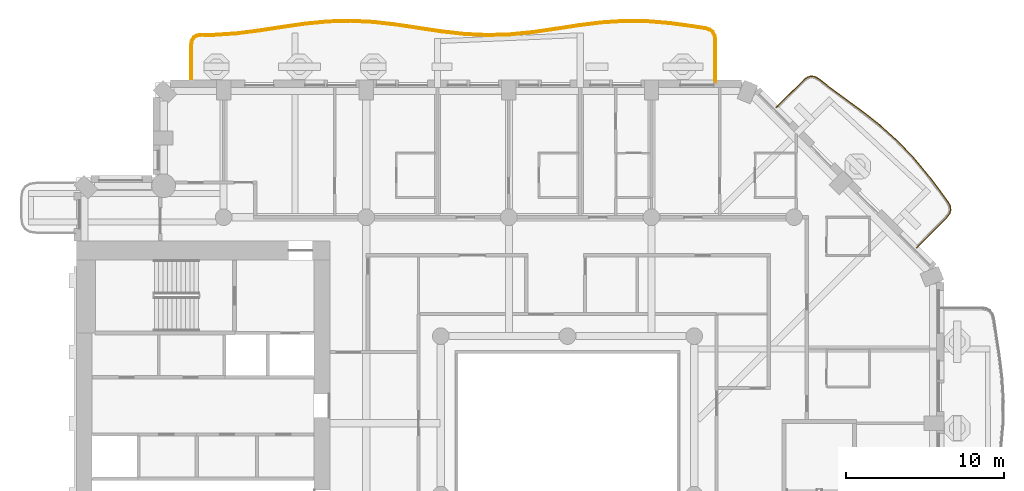
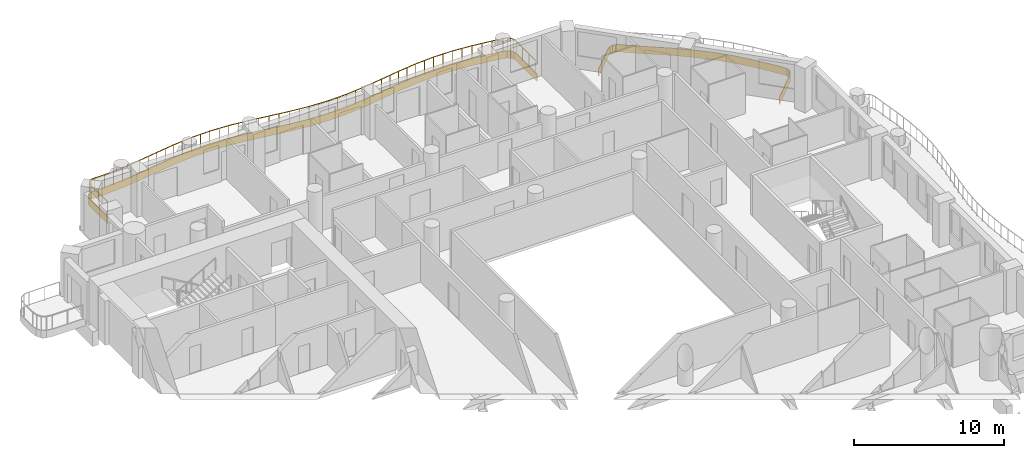
# One storey, part 18 of 20: 2 coverings, 1 railing.
"""IFC4 building model written with IfcOpenShell, lengths in metres."""

import ifcopenshell
import ifcopenshell.guid

model = None  # the IFC model being written
_history = None  # IfcOwnerHistory: only IFC2X3 demands one
_inside = {}  # id of a spatial element -> (the spatial element, [elements in it])
_under = {}  # id of a project, library or spatial element -> (it, [spatial elements below it])
_declared = {}  # id of a project -> (the project, [libraries it declares])
_typed = {}  # id of a type object -> (the type object, [elements of that type])
_made_of = {}  # id of a material, layer set ... -> (it, [elements and type objects made of it])


def new_model(schema):
    """Start an empty IFC model of exactly this schema.

    Asked for "IFC4X3", IfcOpenShell would pick the latest addendum, in which some entities
    have other attributes; the version numbers below select the first issue.
    IFC2X3 requires an IfcOwnerHistory on every rooted entity: one is made here for all.
    """
    global model, _history
    if schema == "IFC4X3":
        model = ifcopenshell.file(schema_version=(4, 3, 0, 0))
    else:
        model = ifcopenshell.file(schema=schema)
    _inside.clear()
    _under.clear()
    _declared.clear()
    _typed.clear()
    _made_of.clear()
    _history = None
    if model.schema == "IFC2X3":
        org = make("IfcOrganization", Name="unknown")
        user = make(
            "IfcPersonAndOrganization",
            ThePerson=make("IfcPerson", FamilyName="unknown"),
            TheOrganization=org,
        )
        app = make(
            "IfcApplication",
            ApplicationDeveloper=org,
            Version="unknown",
            ApplicationFullName="unknown",
            ApplicationIdentifier="unknown",
        )
        _history = make(
            "IfcOwnerHistory",
            OwningUser=user,
            OwningApplication=app,
            ChangeAction="ADDED",
            CreationDate=0,
        )
    return model


def make(cls, **values):
    """One entity of the class cls with the attributes given. An attribute that is None is left unset."""
    return model.create_entity(
        cls, **{name: value for name, value in values.items() if value is not None}
    )


def rooted(cls, **values):
    """An entity with a GlobalId (a new one), such as an element, a storey or a relation."""
    return make(cls, GlobalId=ifcopenshell.guid.new(), OwnerHistory=_history, **values)


def si_unit(unit_type, name, prefix=None):
    """IfcSIUnit, for example si_unit("LENGTHUNIT", "METRE", prefix="MILLI")."""
    return make("IfcSIUnit", UnitType=unit_type, Prefix=prefix, Name=name)


def assignment(units):
    """IfcUnitAssignment: the units of a project."""
    return None if units is None else make("IfcUnitAssignment", Units=units)


def point(xyz):
    """IfcCartesianPoint."""
    return None if xyz is None else make("IfcCartesianPoint", Coordinates=xyz)


def direction(xyz):
    """IfcDirection."""
    return None if xyz is None else make("IfcDirection", DirectionRatios=xyz)


def frame(location, z_axis=None, x_axis=None):
    """IfcAxis2Placement3D, a coordinate frame: its origin and axes. An axis left out is left unset."""
    return make(
        "IfcAxis2Placement3D",
        Location=point(location),
        Axis=direction(z_axis),
        RefDirection=direction(x_axis),
    )


def frame_2d(location, x_axis=None):
    """IfcAxis2Placement2D, a coordinate frame in the plane: its origin and x axis."""
    return make(
        "IfcAxis2Placement2D", Location=point(location), RefDirection=direction(x_axis)
    )


def origin():
    """The frame at (0, 0, 0) with its axes left unset."""
    return frame((0.0, 0.0, 0.0))


def origin_2d():
    """The frame at (0, 0) in the plane with its x axis left unset."""
    return frame_2d((0.0, 0.0))


def place(relative_to, where):
    """IfcLocalPlacement: puts the frame where relative to a parent placement (None: the world)."""
    return make(
        "IfcLocalPlacement", PlacementRelTo=relative_to, RelativePlacement=where
    )


def context(
    kind, dimensions, precision=None, world=None, true_north=None, identifier=None
):
    """IfcGeometricRepresentationContext, for example the 3D "Model" context."""
    return make(
        "IfcGeometricRepresentationContext",
        ContextIdentifier=identifier,
        ContextType=kind,
        CoordinateSpaceDimension=dimensions,
        Precision=precision,
        WorldCoordinateSystem=world,
        TrueNorth=true_north,
    )


def subcontext(parent, identifier, kind, view, scale=None):
    """IfcGeometricRepresentationSubContext, for example "Body" below "Model"."""
    return make(
        "IfcGeometricRepresentationSubContext",
        ContextIdentifier=identifier,
        ContextType=kind,
        ParentContext=parent,
        TargetScale=scale,
        TargetView=view,
    )


def project(units=None, contexts=None):
    """IfcProject with its units and contexts."""
    return rooted(
        "IfcProject",
        Name="project",
        RepresentationContexts=contexts,
        UnitsInContext=assignment(units),
    )


def spatial(cls, under=None, at=None, **own):
    """A site, building, storey or space (cls), placed at a placement, below another one or the project."""
    s = rooted(cls, ObjectPlacement=at, **own)
    if under is not None:
        _under.setdefault(under.id(), (under, []))[1].append(s)
    return s


def polyline(points):
    """IfcPolyline through the points."""
    return make("IfcPolyline", Points=[point(p) for p in points])


def profile(cls, at=None, kind="AREA", **sizes):
    """A parametric profile (cls). Its sizes go by their IFC names, for example OverallWidth=200.0."""
    return make(cls, ProfileType=kind, Position=at, **sizes)


def rectangle(**sizes):
    """IfcRectangleProfileDef."""
    return profile("IfcRectangleProfileDef", **sizes)


def outline(outer, holes=None, kind="AREA"):
    """IfcArbitraryClosedProfileDef: a profile drawn as a closed curve; with holes, ...WithVoids."""
    if holes is None:
        return make("IfcArbitraryClosedProfileDef", ProfileType=kind, OuterCurve=outer)
    return make(
        "IfcArbitraryProfileDefWithVoids",
        ProfileType=kind,
        OuterCurve=outer,
        InnerCurves=holes,
    )


def extrude(swept, where, along, depth):
    """IfcExtrudedAreaSolid: the profile swept, set in the frame where, extruded along a direction by depth."""
    return make(
        "IfcExtrudedAreaSolid",
        SweptArea=swept,
        Position=where,
        ExtrudedDirection=direction(along),
        Depth=depth,
    )


def shape(context_of_items, identifier, shape_type, items):
    """IfcShapeRepresentation: the items that make up one representation, for example the "Body"."""
    return make(
        "IfcShapeRepresentation",
        ContextOfItems=context_of_items,
        RepresentationIdentifier=identifier,
        RepresentationType=shape_type,
        Items=items,
    )


def material(Name=None, Category=None):
    """IfcMaterial."""
    return make("IfcMaterial", Name=Name, Category=Category)


def layer(
    of_material, thickness, ventilated=None, Name=None, Category=None, Priority=None
):
    """IfcMaterialLayer: one layer of a wall or slab, of a material (None: an air gap)."""
    return make(
        "IfcMaterialLayer",
        Material=of_material,
        LayerThickness=thickness,
        IsVentilated=ventilated,
        Name=Name,
        Category=Category,
        Priority=Priority,
    )


def layer_set(layers, Name=None):
    """IfcMaterialLayerSet."""
    return make("IfcMaterialLayerSet", MaterialLayers=layers, LayerSetName=Name)


def made_of(thing, what):
    """Note that an element or type object is made of a material, layer set ...; save() writes the relation."""
    if what is not None:
        _made_of.setdefault(what.id(), (what, []))[1].append(thing)
    return thing


def type_object(cls, material=None, **own):
    """A type object (cls), such as IfcWallType, which elements share."""
    return made_of(rooted(cls, **own), material)


def element(
    cls,
    number,
    at=None,
    inside=None,
    cuts=None,
    type_object=None,
    material=None,
    context=None,
    identifier="Body",
    shape_type=None,
    held_by="IfcProductDefinitionShape",
    body=None,
    shapes=None,
    **own,
):
    """One element of the class cls, such as IfcWall. Its Tag is "e" and its number.

    at: its placement. inside: the storey or other place that contains it. cuts: it is an
    opening in that element (IfcRelVoidsElement). A single representation is given by context,
    identifier, shape_type and body (its items); several are given by shapes. held_by: the class
    of the entity that holds the representations. save() writes the other relations.
    """
    e = rooted(cls, Tag="e%d" % number, ObjectPlacement=at, **own)
    if body is not None:
        shapes = [shape(context, identifier, shape_type, body)]
    if shapes is not None:
        e.Representation = make(held_by, Representations=shapes)
    if inside is not None:
        _inside.setdefault(inside.id(), (inside, []))[1].append(e)
    if cuts is not None:
        rooted(
            "IfcRelVoidsElement", RelatingBuildingElement=cuts, RelatedOpeningElement=e
        )
    if type_object is not None:
        _typed.setdefault(type_object.id(), (type_object, []))[1].append(e)
    return made_of(e, material)


def aggregate(whole, parts):
    """IfcRelAggregates: a whole, such as a stair, and the parts it consists of."""
    return rooted("IfcRelAggregates", RelatingObject=whole, RelatedObjects=parts)


def save(model, path):
    """Write the relations noted so far, then the file.

    IfcRelAggregates (storeys below a building ...), IfcRelContainedInSpatialStructure (elements
    in a storey), IfcRelDefinesByType, IfcRelAssociatesMaterial and IfcRelDeclares: one each for
    every whole, place, type object, material and project.
    """
    for whole, parts in _under.values():
        aggregate(whole, parts)
    for where, things in _inside.values():
        rooted(
            "IfcRelContainedInSpatialStructure",
            RelatedElements=things,
            RelatingStructure=where,
        )
    for kind, things in _typed.values():
        rooted("IfcRelDefinesByType", RelatedObjects=things, RelatingType=kind)
    for what, things in _made_of.values():
        rooted("IfcRelAssociatesMaterial", RelatedObjects=things, RelatingMaterial=what)
    for by, libraries in _declared.values():
        rooted("IfcRelDeclares", RelatingContext=by, RelatedDefinitions=libraries)
    model.write(path)


model = new_model("IFC4")

# Units and contexts
model_context = context("Model", 3, precision=1e-05, world=origin(), true_north=direction((0.0, 1.0)))
body_context = subcontext(model_context, "Body", "Model", "MODEL_VIEW")
ifc_project = project(units=[si_unit("LENGTHUNIT", "METRE"), si_unit("AREAUNIT", "SQUARE_METRE"), si_unit("VOLUMEUNIT", "CUBIC_METRE"), si_unit("PLANEANGLEUNIT", "RADIAN"), si_unit("MASSUNIT", "GRAM", prefix="KILO")], contexts=[model_context])

# Site, building, storey
site_placement = place(None, origin())
site = spatial("IfcSite", under=ifc_project, at=site_placement, CompositionType="ELEMENT")
building_placement = place(site_placement, origin())
building = spatial("IfcBuilding", under=site, at=building_placement, Name="Cypress Arch Tower", CompositionType="ELEMENT")
storey_placement = place(building_placement, frame((0.0, 0.0, 134.699951171875)))
storey = spatial("IfcBuildingStorey", under=building, at=storey_placement, Name="L29", CompositionType="ELEMENT", Elevation=134.699951171875)

# Coverings
ifc_material_1 = material(Name="White powder-coated aluminium fascia", Category="aluminium")
ifc_layer = layer(ifc_material_1, 0.050048828125)
ifc_layer_set = layer_set([ifc_layer], Name="Balcony fascia BF50")
covering_type = type_object("IfcCoveringType", Name="Balcony fascia BF50", PredefinedType="CLADDING", material=ifc_layer_set)
covering_1_placement = place(storey_placement, frame((0.0, 0.0, -0.599853515625)))
element("IfcCovering", 1, at=covering_1_placement, inside=storey, type_object=covering_type, Name="Balcony fascia L29-A07", PredefinedType="CLADDING", context=body_context, shape_type="SweptSolid", body=[
    extrude(outline(polyline([(15.894775390625, 26.18359375), (16.130126953125, 26.361328125), (16.381103515625, 26.4326171875), (16.638427734375, 26.39111328125), (16.89306640625, 26.242431640625), (17.49755859375, 25.765625), (18.62548828125, 24.934814453125), (19.753173828125, 24.101806640625), (20.84716796875, 23.232666015625), (21.880859375, 22.302001953125), (22.841796875, 21.298583984375), (23.734375, 20.2275390625), (24.578857421875, 19.110107421875), (25.0361328125, 18.484375), (25.17724609375, 18.222412109375), (25.21240234375, 17.9599609375), (25.13720703125, 17.7060546875), (24.957763671875, 17.468994140625), (23.045166015625, 15.556396484375), (23.009765625, 15.591796875), (24.919921875, 17.501953125), (25.091796875, 17.72900390625), (25.16162109375, 17.9638671875), (25.12890625, 18.206787109375), (24.993896484375, 18.45751953125), (24.538818359375, 19.080322265625), (23.6953125, 20.1962890625), (22.804443359375, 21.26513671875), (21.845947265625, 22.26611328125), (20.814697265625, 23.194580078125), (19.722900390625, 24.06201171875), (18.595703125, 24.89453125), (17.46728515625, 25.725830078125), (16.86474609375, 26.200927734375), (16.621337890625, 26.34326171875), (16.384033203125, 26.381591796875), (16.15283203125, 26.315673828125), (15.927734375, 26.145751953125), (14.191650390625, 24.40966796875), (14.15625, 24.445068359375), (15.894775390625, 26.18359375)])), origin(), (0.0, 0.0, 1.0), 0.599853515625),
])
covering_2_placement = place(storey_placement, frame((0.0, 0.0, -0.599853515625)))
element("IfcCovering", 2, at=covering_2_placement, inside=storey, type_object=covering_type, Name="Balcony fascia L29-A08", PredefinedType="CLADDING", context=body_context, shape_type="SweptSolid", body=[
    extrude(outline(polyline([(-22.800048828125, 28.37548828125), (-22.757568359375, 28.672119140625), (-22.62451171875, 28.893310546875), (-22.402587890625, 29.02490234375), (-22.105712890625, 29.065185546875), (-21.3125, 29.0595703125), (-19.876708984375, 29.157958984375), (-18.439697265625, 29.3408203125), (-17.000732421875, 29.56298828125), (-15.560302734375, 29.77001953125), (-14.118408203125, 29.91015625), (-12.675537109375, 29.94873046875), (-11.23291015625, 29.876220703125), (-9.791259765625, 29.71044921875), (-8.351318359375, 29.492919921875), (-6.9130859375, 29.27734375), (-5.4765625, 29.11669921875), (-4.041015625, 29.050537109375), (-2.60546875, 29.09521484375), (-1.169189453125, 29.23974609375), (0.268798828125, 29.44873046875), (1.708251953125, 29.67041015625), (3.149658203125, 29.849853515625), (4.592041015625, 29.943115234375), (6.034912109375, 29.92626953125), (7.477294921875, 29.80419921875), (8.918212890625, 29.606689453125), (9.71337890625, 29.483154296875), (10.0087890625, 29.39453125), (10.22705078125, 29.22802734375), (10.35791015625, 28.987060546875), (10.39990234375, 28.681640625), (10.39990234375, 26.0009765625), (10.35009765625, 26.0009765625), (10.35009765625, 28.67822265625), (10.3095703125, 28.97119140625), (10.18798828125, 29.19482421875), (9.98583984375, 29.34912109375), (9.702392578125, 29.43408203125), (8.910888671875, 29.55712890625), (7.4716796875, 29.75439453125), (6.03271484375, 29.87646484375), (4.593505859375, 29.89306640625), (3.154296875, 29.800048828125), (1.71533203125, 29.620849609375), (0.276123046875, 29.399169921875), (-1.1630859375, 29.190185546875), (-2.602294921875, 29.04541015625), (-4.041259765625, 29.00048828125), (-5.48046875, 29.066650390625), (-6.919677734375, 29.227783203125), (-8.358642578125, 29.443603515625), (-9.7978515625, 29.660888671875), (-11.237060546875, 29.826171875), (-12.676025390625, 29.898681640625), (-14.115234375, 29.860107421875), (-15.554443359375, 29.72021484375), (-16.993408203125, 29.513671875), (-18.4326171875, 29.291259765625), (-19.871826171875, 29.108154296875), (-21.310791015625, 29.009521484375), (-22.102294921875, 29.01513671875), (-22.3857421875, 28.9765625), (-22.588134765625, 28.856689453125), (-22.70947265625, 28.655029296875), (-22.75, 28.3720703125), (-22.75, 26.0009765625), (-22.800048828125, 26.0009765625), (-22.800048828125, 28.37548828125)])), origin(), (0.0, 0.0, 1.0), 0.599853515625),
])

# Railing
ifc_material_2 = material(Name="Powder-coated steel posts and rods, 100 mm clear between rods", Category="steel")
railing_type = type_object("IfcRailingType", Name="Balcony guard GR1100", PredefinedType="GUARDRAIL", material=ifc_material_2)
railing_placement = place(storey_placement, frame((-22.699951171875, 26.14990234375, 0.0)))
element("IfcRailing", 3, at=railing_placement, inside=storey, type_object=railing_type, Name="Balcony guard L29-A08", PredefinedType="GUARDRAIL", context=body_context, shape_type="SweptSolid", body=[
    extrude(rectangle(XDim=0.050048828125, YDim=0.050048828125, at=origin_2d()), frame((0.0, 0.0, 1.0751953125), z_axis=(0.0, 1.0, 0.0), x_axis=(-1.0, 0.0, 0.0)), (0.0, 0.0, 1.0), 2.218505859375),
    extrude(rectangle(XDim=0.050048828125, YDim=0.050048828125, at=origin_2d()), frame((0.0, 2.218505859375, 1.0751953125), z_axis=(0.141672416732, 0.98991359539, 0.0), x_axis=(-0.98991359539, 0.141672416732, 0.0)), (0.0, 0.0, 1.0), 0.272216796875),
    extrude(rectangle(XDim=0.050048828125, YDim=0.050048828125, at=origin_2d()), frame((0.03857421875, 2.488037109375, 1.0751953125), z_axis=(0.515677548215, 0.856782741578, 0.0), x_axis=(-0.856782741578, 0.515677548215, 0.0)), (0.0, 0.0, 1.0), 0.212646484375),
    extrude(rectangle(XDim=0.050048828125, YDim=0.050048828125, at=origin_2d()), frame((0.148193359375, 2.670166015625, 1.0751953125), z_axis=(0.8602169019, 0.509928310339, 0.0), x_axis=(-0.509928310339, 0.8602169019, 0.0)), (0.0, 0.0, 1.0), 0.212646484375),
    extrude(rectangle(XDim=0.050048828125, YDim=0.050048828125, at=origin_2d()), frame((0.3310546875, 2.778564453125, 1.0751953125), z_axis=(0.990911839924, 0.134512919447, 0.0), x_axis=(-0.134512919447, 0.990911839924, 0.0)), (0.0, 0.0, 1.0), 0.272216796875),
    extrude(rectangle(XDim=0.050048828125, YDim=0.050048828125, at=origin_2d()), frame((0.600830078125, 2.815185546875, 1.0751953125), z_axis=(0.999974726776, -0.007109557563, 0.0), x_axis=(0.007109557563, 0.999974726776, 0.0)), (0.0, 0.0, 1.0), 0.789794921875),
    extrude(rectangle(XDim=0.050048828125, YDim=0.050048828125, at=origin_2d()), frame((1.390625, 2.8095703125, 1.0751953125), z_axis=(0.997658621, 0.068390612983, 0.0), x_axis=(-0.068390612983, 0.997658621, 0.0)), (0.0, 0.0, 1.0), 1.44580078125),
    extrude(rectangle(XDim=0.050048828125, YDim=0.050048828125, at=origin_2d()), frame((2.8330078125, 2.908447265625, 1.0751953125), z_axis=(0.992006709468, 0.1261851353, 0.0), x_axis=(-0.1261851353, 0.992006709468, 0.0)), (0.0, 0.0, 1.0), 1.453125),
    extrude(rectangle(XDim=0.050048828125, YDim=0.050048828125, at=origin_2d()), frame((4.2744140625, 3.091796875, 1.0751953125), z_axis=(0.988272662411, 0.152699524331, 0.0), x_axis=(-0.152699524331, 0.988272662411, 0.0)), (0.0, 0.0, 1.0), 1.45654296875),
    extrude(rectangle(XDim=0.050048828125, YDim=0.050048828125, at=origin_2d()), frame((5.7138671875, 3.314208984375, 1.0751953125), z_axis=(0.989838254596, 0.142197854201, 0.0), x_axis=(-0.142197854201, 0.989838254596, 0.0)), (0.0, 0.0, 1.0), 1.452392578125),
    extrude(rectangle(XDim=0.050048828125, YDim=0.050048828125, at=origin_2d()), frame((7.151611328125, 3.520751953125, 1.0751953125), z_axis=(0.99530648281, 0.096772957363, 0.0), x_axis=(-0.096772957363, 0.99530648281, 0.0)), (0.0, 0.0, 1.0), 1.443115234375),
    extrude(rectangle(XDim=0.050048828125, YDim=0.050048828125, at=origin_2d()), frame((8.587890625, 3.660400390625, 1.0751953125), z_axis=(0.999643606175, 0.0266957044, 0.0), x_axis=(-0.0266957044, 0.999643606175, 0.0)), (0.0, 0.0, 1.0), 1.435791015625),
    extrude(rectangle(XDim=0.050048828125, YDim=0.050048828125, at=origin_2d()), frame((10.023193359375, 3.69873046875, 1.0751953125), z_axis=(0.998735767688, -0.050267945458, 0.0), x_axis=(0.050267945458, 0.998735767688, 0.0)), (0.0, 0.0, 1.0), 1.4375),
    extrude(rectangle(XDim=0.050048828125, YDim=0.050048828125, at=origin_2d()), frame((11.458984375, 3.62646484375, 1.0751953125), z_axis=(0.993465014905, -0.114137041141, 0.0), x_axis=(0.114137041141, 0.993465014905, 0.0)), (0.0, 0.0, 1.0), 1.446044921875),
    extrude(rectangle(XDim=0.050048828125, YDim=0.050048828125, at=origin_2d()), frame((12.8955078125, 3.46142578125, 1.0751953125), z_axis=(0.988779448417, -0.149382737921, 0.0), x_axis=(0.149382737921, 0.988779448417, 0.0)), (0.0, 0.0, 1.0), 1.45458984375),
    extrude(rectangle(XDim=0.050048828125, YDim=0.050048828125, at=origin_2d()), frame((14.333740234375, 3.244140625, 1.0751953125), z_axis=(0.988932663572, -0.148365046154, 0.0), x_axis=(0.148365046154, 0.988932663572, 0.0)), (0.0, 0.0, 1.0), 1.456298828125),
    extrude(rectangle(XDim=0.050048828125, YDim=0.050048828125, at=origin_2d()), frame((15.77392578125, 3.028076171875, 1.0751953125), z_axis=(0.993811689015, -0.111078021126, 0.0), x_axis=(0.111078021126, 0.993811689015, 0.0)), (0.0, 0.0, 1.0), 1.45068359375),
    extrude(rectangle(XDim=0.050048828125, YDim=0.050048828125, at=origin_2d()), frame((17.215576171875, 2.866943359375, 1.0751953125), z_axis=(0.998942232223, -0.045982786794, 0.0), x_axis=(0.045982786794, 0.998942232223, 0.0)), (0.0, 0.0, 1.0), 1.444091796875),
    extrude(rectangle(XDim=0.050048828125, YDim=0.050048828125, at=origin_2d()), frame((18.658203125, 2.800537109375, 1.0751953125), z_axis=(0.99951569929, 0.031118593683, 0.0), x_axis=(-0.031118593683, 0.99951569929, 0.0)), (0.0, 0.0, 1.0), 1.443603515625),
    extrude(rectangle(XDim=0.050048828125, YDim=0.050048828125, at=origin_2d()), frame((20.10107421875, 2.845458984375, 1.0751953125), z_axis=(0.994963528178, 0.1002376057, 0.0), x_axis=(-0.1002376057, 0.994963528178, 0.0)), (0.0, 0.0, 1.0), 1.44921875),
    extrude(rectangle(XDim=0.050048828125, YDim=0.050048828125, at=origin_2d()), frame((21.54296875, 2.99072265625, 1.0751953125), z_axis=(0.989614656009, 0.143745722068, 0.0), x_axis=(-0.143745722068, 0.989614656009, 0.0)), (0.0, 0.0, 1.0), 1.45556640625),
    extrude(rectangle(XDim=0.050048828125, YDim=0.050048828125, at=origin_2d()), frame((22.9833984375, 3.199951171875, 1.0751953125), z_axis=(0.988362000961, 0.152120199367, 0.0), x_axis=(-0.152120199367, 0.988362000961, 0.0)), (0.0, 0.0, 1.0), 1.45556640625),
    extrude(rectangle(XDim=0.050048828125, YDim=0.050048828125, at=origin_2d()), frame((24.422119140625, 3.42138671875, 1.0751953125), z_axis=(0.992332258431, 0.123598903217, 0.0), x_axis=(-0.123598903217, 0.992332258431, 0.0)), (0.0, 0.0, 1.0), 1.44775390625),
    extrude(rectangle(XDim=0.050048828125, YDim=0.050048828125, at=origin_2d()), frame((25.85888671875, 3.600341796875, 1.0751953125), z_axis=(0.997918973918, 0.064480396206, 0.0), x_axis=(-0.064480396206, 0.997918973918, 0.0)), (0.0, 0.0, 1.0), 1.438720703125),
    extrude(rectangle(XDim=0.050048828125, YDim=0.050048828125, at=origin_2d()), frame((27.294677734375, 3.693115234375, 1.0751953125), z_axis=(0.999933136421, -0.011563852598, 0.0), x_axis=(0.011563852598, 0.999933136421, 0.0)), (0.0, 0.0, 1.0), 1.435546875),
    extrude(rectangle(XDim=0.050048828125, YDim=0.050048828125, at=origin_2d()), frame((28.730224609375, 3.676513671875, 1.0751953125), z_axis=(0.996420811741, -0.084531449347, 0.0), x_axis=(0.084531449347, 0.996420811741, 0.0)), (0.0, 0.0, 1.0), 1.441162109375),
    extrude(rectangle(XDim=0.050048828125, YDim=0.050048828125, at=origin_2d()), frame((30.166259765625, 3.5546875, 1.0751953125), z_axis=(0.990757312592, -0.13564640631, 0.0), x_axis=(0.13564640631, 0.990757312592, 0.0)), (0.0, 0.0, 1.0), 1.45068359375),
    extrude(rectangle(XDim=0.050048828125, YDim=0.050048828125, at=origin_2d()), frame((31.603515625, 3.35791015625, 1.0751953125), z_axis=(0.988115435462, -0.153713650016, 0.0), x_axis=(0.153713650016, 0.988115435462, 0.0)), (0.0, 0.0, 1.0), 0.79736328125),
    extrude(rectangle(XDim=0.050048828125, YDim=0.050048828125, at=origin_2d()), frame((32.391357421875, 3.2353515625, 1.0751953125), z_axis=(0.957897446149, -0.287110575669, 0.0), x_axis=(0.287110575669, 0.957897446149, 0.0)), (0.0, 0.0, 1.0), 0.283203125),
    extrude(rectangle(XDim=0.050048828125, YDim=0.050048828125, at=origin_2d()), frame((32.66259765625, 3.154052734375, 1.0751953125), z_axis=(0.794977657417, -0.606638709783, 0.0), x_axis=(0.606638709783, 0.794977657417, 0.0)), (0.0, 0.0, 1.0), 0.234619140625),
    extrude(rectangle(XDim=0.050048828125, YDim=0.050048828125, at=origin_2d()), frame((32.84912109375, 3.01171875, 1.0751953125), z_axis=(0.477321336247, -0.87872882163, 0.0), x_axis=(0.87872882163, 0.477321336247, 0.0)), (0.0, 0.0, 1.0), 0.23486328125),
    extrude(rectangle(XDim=0.050048828125, YDim=0.050048828125, at=origin_2d()), frame((32.961181640625, 2.805419921875, 1.0751953125), z_axis=(0.137074975922, -0.99056067506, 0.0), x_axis=(0.99056067506, 0.137074975922, 0.0)), (0.0, 0.0, 1.0), 0.283203125),
    extrude(rectangle(XDim=0.050048828125, YDim=0.050048828125, at=origin_2d()), frame((33.0, 2.52490234375, 1.0751953125), z_axis=(0.0, -1.0, 0.0), x_axis=(1.0, 0.0, 0.0)), (0.0, 0.0, 1.0), 2.52490234375),
    extrude(rectangle(XDim=0.0400390625, YDim=0.0400390625, at=origin_2d()), origin(), (0.0, 0.0, 1.0), 1.050048828125),
    extrude(rectangle(XDim=0.0400390625, YDim=0.0400390625, at=origin_2d()), frame((0.0, 1.109375, 0.0)), (0.0, 0.0, 1.0), 1.050048828125),
    extrude(rectangle(XDim=0.0400390625, YDim=0.0400390625, at=origin_2d()), frame((0.0, 2.218505859375, 0.0)), (0.0, 0.0, 1.0), 1.050048828125),
    extrude(rectangle(XDim=0.0400390625, YDim=0.0400390625, at=origin_2d()), frame((0.03857421875, 2.488037109375, 0.0)), (0.0, 0.0, 1.0), 1.050048828125),
    extrude(rectangle(XDim=0.0400390625, YDim=0.0400390625, at=origin_2d()), frame((0.148193359375, 2.670166015625, 0.0)), (0.0, 0.0, 1.0), 1.050048828125),
    extrude(rectangle(XDim=0.0400390625, YDim=0.0400390625, at=origin_2d()), frame((0.3310546875, 2.778564453125, 0.0)), (0.0, 0.0, 1.0), 1.050048828125),
    extrude(rectangle(XDim=0.0400390625, YDim=0.0400390625, at=origin_2d()), frame((0.600830078125, 2.815185546875, 0.0)), (0.0, 0.0, 1.0), 1.050048828125),
    extrude(rectangle(XDim=0.0400390625, YDim=0.0400390625, at=origin_2d()), frame((1.390625, 2.8095703125, 0.0)), (0.0, 0.0, 1.0), 1.050048828125),
    extrude(rectangle(XDim=0.0400390625, YDim=0.0400390625, at=origin_2d()), frame((2.11181640625, 2.85888671875, 0.0)), (0.0, 0.0, 1.0), 1.050048828125),
    extrude(rectangle(XDim=0.0400390625, YDim=0.0400390625, at=origin_2d()), frame((2.8330078125, 2.908447265625, 0.0)), (0.0, 0.0, 1.0), 1.050048828125),
    extrude(rectangle(XDim=0.0400390625, YDim=0.0400390625, at=origin_2d()), frame((3.5537109375, 3.0, 0.0)), (0.0, 0.0, 1.0), 1.050048828125),
    extrude(rectangle(XDim=0.0400390625, YDim=0.0400390625, at=origin_2d()), frame((4.2744140625, 3.091796875, 0.0)), (0.0, 0.0, 1.0), 1.050048828125),
    extrude(rectangle(XDim=0.0400390625, YDim=0.0400390625, at=origin_2d()), frame((4.994140625, 3.203125, 0.0)), (0.0, 0.0, 1.0), 1.050048828125),
    extrude(rectangle(XDim=0.0400390625, YDim=0.0400390625, at=origin_2d()), frame((5.7138671875, 3.314208984375, 0.0)), (0.0, 0.0, 1.0), 1.050048828125),
    extrude(rectangle(XDim=0.0400390625, YDim=0.0400390625, at=origin_2d()), frame((6.4326171875, 3.41748046875, 0.0)), (0.0, 0.0, 1.0), 1.050048828125),
    extrude(rectangle(XDim=0.0400390625, YDim=0.0400390625, at=origin_2d()), frame((7.151611328125, 3.520751953125, 0.0)), (0.0, 0.0, 1.0), 1.050048828125),
    extrude(rectangle(XDim=0.0400390625, YDim=0.0400390625, at=origin_2d()), frame((7.86962890625, 3.590576171875, 0.0)), (0.0, 0.0, 1.0), 1.050048828125),
    extrude(rectangle(XDim=0.0400390625, YDim=0.0400390625, at=origin_2d()), frame((8.587890625, 3.660400390625, 0.0)), (0.0, 0.0, 1.0), 1.050048828125),
    extrude(rectangle(XDim=0.0400390625, YDim=0.0400390625, at=origin_2d()), frame((9.3056640625, 3.6796875, 0.0)), (0.0, 0.0, 1.0), 1.050048828125),
    extrude(rectangle(XDim=0.0400390625, YDim=0.0400390625, at=origin_2d()), frame((10.023193359375, 3.69873046875, 0.0)), (0.0, 0.0, 1.0), 1.050048828125),
    extrude(rectangle(XDim=0.0400390625, YDim=0.0400390625, at=origin_2d()), frame((10.7412109375, 3.66259765625, 0.0)), (0.0, 0.0, 1.0), 1.050048828125),
    extrude(rectangle(XDim=0.0400390625, YDim=0.0400390625, at=origin_2d()), frame((11.458984375, 3.62646484375, 0.0)), (0.0, 0.0, 1.0), 1.050048828125),
    extrude(rectangle(XDim=0.0400390625, YDim=0.0400390625, at=origin_2d()), frame((12.17724609375, 3.5439453125, 0.0)), (0.0, 0.0, 1.0), 1.050048828125),
    extrude(rectangle(XDim=0.0400390625, YDim=0.0400390625, at=origin_2d()), frame((12.8955078125, 3.46142578125, 0.0)), (0.0, 0.0, 1.0), 1.050048828125),
    extrude(rectangle(XDim=0.0400390625, YDim=0.0400390625, at=origin_2d()), frame((13.61474609375, 3.352783203125, 0.0)), (0.0, 0.0, 1.0), 1.050048828125),
    extrude(rectangle(XDim=0.0400390625, YDim=0.0400390625, at=origin_2d()), frame((14.333740234375, 3.244140625, 0.0)), (0.0, 0.0, 1.0), 1.050048828125),
    extrude(rectangle(XDim=0.0400390625, YDim=0.0400390625, at=origin_2d()), frame((15.0537109375, 3.13623046875, 0.0)), (0.0, 0.0, 1.0), 1.050048828125),
    extrude(rectangle(XDim=0.0400390625, YDim=0.0400390625, at=origin_2d()), frame((15.77392578125, 3.028076171875, 0.0)), (0.0, 0.0, 1.0), 1.050048828125),
    extrude(rectangle(XDim=0.0400390625, YDim=0.0400390625, at=origin_2d()), frame((16.49462890625, 2.947509765625, 0.0)), (0.0, 0.0, 1.0), 1.050048828125),
    extrude(rectangle(XDim=0.0400390625, YDim=0.0400390625, at=origin_2d()), frame((17.215576171875, 2.866943359375, 0.0)), (0.0, 0.0, 1.0), 1.050048828125),
    extrude(rectangle(XDim=0.0400390625, YDim=0.0400390625, at=origin_2d()), frame((17.93701171875, 2.833740234375, 0.0)), (0.0, 0.0, 1.0), 1.050048828125),
    extrude(rectangle(XDim=0.0400390625, YDim=0.0400390625, at=origin_2d()), frame((18.658203125, 2.800537109375, 0.0)), (0.0, 0.0, 1.0), 1.050048828125),
    extrude(rectangle(XDim=0.0400390625, YDim=0.0400390625, at=origin_2d()), frame((19.379638671875, 2.822998046875, 0.0)), (0.0, 0.0, 1.0), 1.050048828125),
    extrude(rectangle(XDim=0.0400390625, YDim=0.0400390625, at=origin_2d()), frame((20.10107421875, 2.845458984375, 0.0)), (0.0, 0.0, 1.0), 1.050048828125),
    extrude(rectangle(XDim=0.0400390625, YDim=0.0400390625, at=origin_2d()), frame((20.822021484375, 2.91796875, 0.0)), (0.0, 0.0, 1.0), 1.050048828125),
    extrude(rectangle(XDim=0.0400390625, YDim=0.0400390625, at=origin_2d()), frame((21.54296875, 2.99072265625, 0.0)), (0.0, 0.0, 1.0), 1.050048828125),
    extrude(rectangle(XDim=0.0400390625, YDim=0.0400390625, at=origin_2d()), frame((22.26318359375, 3.09521484375, 0.0)), (0.0, 0.0, 1.0), 1.050048828125),
    extrude(rectangle(XDim=0.0400390625, YDim=0.0400390625, at=origin_2d()), frame((22.9833984375, 3.199951171875, 0.0)), (0.0, 0.0, 1.0), 1.050048828125),
    extrude(rectangle(XDim=0.0400390625, YDim=0.0400390625, at=origin_2d()), frame((23.70263671875, 3.310546875, 0.0)), (0.0, 0.0, 1.0), 1.050048828125),
    extrude(rectangle(XDim=0.0400390625, YDim=0.0400390625, at=origin_2d()), frame((24.422119140625, 3.42138671875, 0.0)), (0.0, 0.0, 1.0), 1.050048828125),
    extrude(rectangle(XDim=0.0400390625, YDim=0.0400390625, at=origin_2d()), frame((25.140625, 3.5107421875, 0.0)), (0.0, 0.0, 1.0), 1.050048828125),
    extrude(rectangle(XDim=0.0400390625, YDim=0.0400390625, at=origin_2d()), frame((25.85888671875, 3.600341796875, 0.0)), (0.0, 0.0, 1.0), 1.050048828125),
    extrude(rectangle(XDim=0.0400390625, YDim=0.0400390625, at=origin_2d()), frame((26.57666015625, 3.646728515625, 0.0)), (0.0, 0.0, 1.0), 1.050048828125),
    extrude(rectangle(XDim=0.0400390625, YDim=0.0400390625, at=origin_2d()), frame((27.294677734375, 3.693115234375, 0.0)), (0.0, 0.0, 1.0), 1.050048828125),
    extrude(rectangle(XDim=0.0400390625, YDim=0.0400390625, at=origin_2d()), frame((28.012451171875, 3.684814453125, 0.0)), (0.0, 0.0, 1.0), 1.050048828125),
    extrude(rectangle(XDim=0.0400390625, YDim=0.0400390625, at=origin_2d()), frame((28.730224609375, 3.676513671875, 0.0)), (0.0, 0.0, 1.0), 1.050048828125),
    extrude(rectangle(XDim=0.0400390625, YDim=0.0400390625, at=origin_2d()), frame((29.4482421875, 3.61572265625, 0.0)), (0.0, 0.0, 1.0), 1.050048828125),
    extrude(rectangle(XDim=0.0400390625, YDim=0.0400390625, at=origin_2d()), frame((30.166259765625, 3.5546875, 0.0)), (0.0, 0.0, 1.0), 1.050048828125),
    extrude(rectangle(XDim=0.0400390625, YDim=0.0400390625, at=origin_2d()), frame((30.884765625, 3.456298828125, 0.0)), (0.0, 0.0, 1.0), 1.050048828125),
    extrude(rectangle(XDim=0.0400390625, YDim=0.0400390625, at=origin_2d()), frame((31.603515625, 3.35791015625, 0.0)), (0.0, 0.0, 1.0), 1.050048828125),
    extrude(rectangle(XDim=0.0400390625, YDim=0.0400390625, at=origin_2d()), frame((32.391357421875, 3.2353515625, 0.0)), (0.0, 0.0, 1.0), 1.050048828125),
    extrude(rectangle(XDim=0.0400390625, YDim=0.0400390625, at=origin_2d()), frame((32.66259765625, 3.154052734375, 0.0)), (0.0, 0.0, 1.0), 1.050048828125),
    extrude(rectangle(XDim=0.0400390625, YDim=0.0400390625, at=origin_2d()), frame((32.84912109375, 3.01171875, 0.0)), (0.0, 0.0, 1.0), 1.050048828125),
    extrude(rectangle(XDim=0.0400390625, YDim=0.0400390625, at=origin_2d()), frame((32.961181640625, 2.805419921875, 0.0)), (0.0, 0.0, 1.0), 1.050048828125),
    extrude(rectangle(XDim=0.0400390625, YDim=0.0400390625, at=origin_2d()), frame((33.0, 2.52490234375, 0.0)), (0.0, 0.0, 1.0), 1.050048828125),
    extrude(rectangle(XDim=0.0400390625, YDim=0.0400390625, at=origin_2d()), frame((33.0, 1.683349609375, 0.0)), (0.0, 0.0, 1.0), 1.050048828125),
    extrude(rectangle(XDim=0.0400390625, YDim=0.0400390625, at=origin_2d()), frame((33.0, 0.841552734375, 0.0)), (0.0, 0.0, 1.0), 1.050048828125),
    extrude(rectangle(XDim=0.0400390625, YDim=0.0400390625, at=origin_2d()), frame((33.0, 0.0, 0.0)), (0.0, 0.0, 1.0), 1.050048828125),
])

save(model, "model.ifc")
